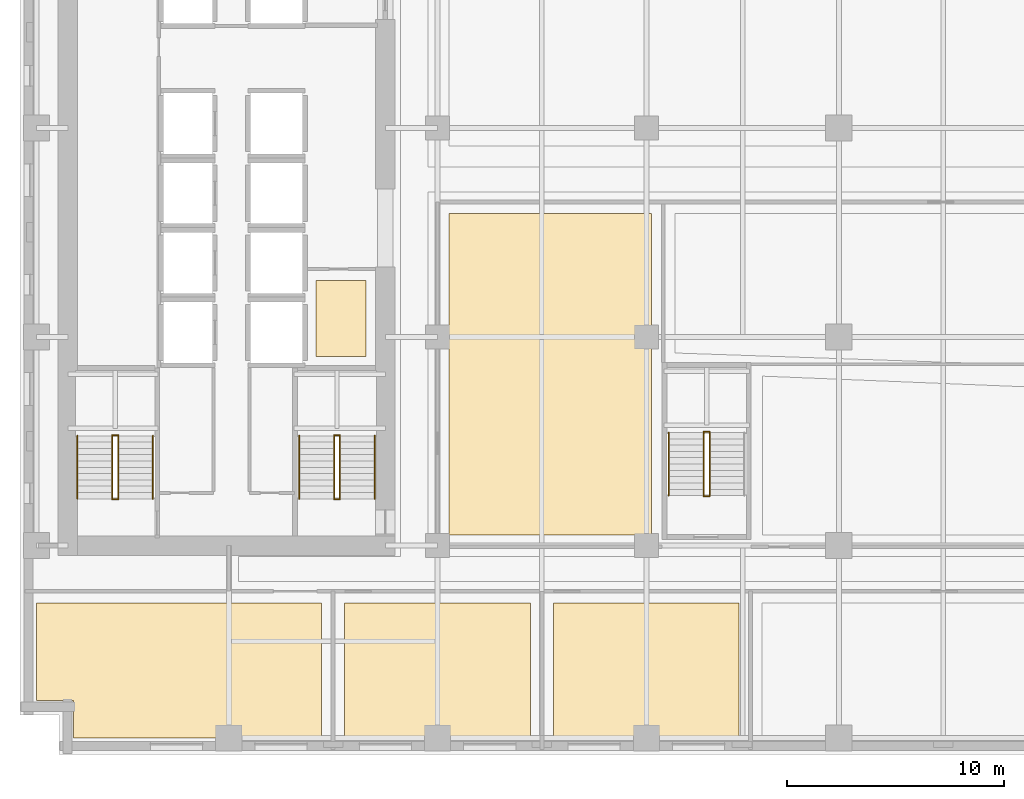
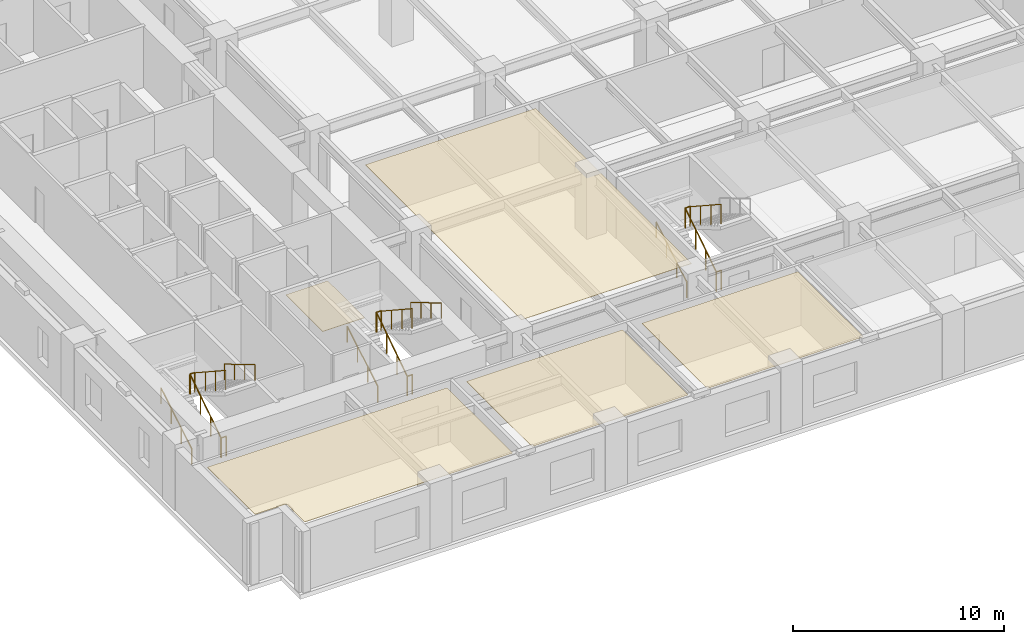
# One storey, part 10 of 14: 17 railings, 5 coverings.
"""IFC4 building model written with IfcOpenShell, lengths in metres."""

import ifcopenshell
import ifcopenshell.guid

model = None  # the IFC model being written
_history = None  # IfcOwnerHistory: only IFC2X3 demands one
_inside = {}  # id of a spatial element -> (the spatial element, [elements in it])
_under = {}  # id of a project, library or spatial element -> (it, [spatial elements below it])
_declared = {}  # id of a project -> (the project, [libraries it declares])
_typed = {}  # id of a type object -> (the type object, [elements of that type])
_made_of = {}  # id of a material, layer set ... -> (it, [elements and type objects made of it])


def new_model(schema):
    """Start an empty IFC model of exactly this schema.

    Asked for "IFC4X3", IfcOpenShell would pick the latest addendum, in which some entities
    have other attributes; the version numbers below select the first issue.
    IFC2X3 requires an IfcOwnerHistory on every rooted entity: one is made here for all.
    """
    global model, _history
    if schema == "IFC4X3":
        model = ifcopenshell.file(schema_version=(4, 3, 0, 0))
    else:
        model = ifcopenshell.file(schema=schema)
    _inside.clear()
    _under.clear()
    _declared.clear()
    _typed.clear()
    _made_of.clear()
    _history = None
    if model.schema == "IFC2X3":
        org = make("IfcOrganization", Name="unknown")
        user = make(
            "IfcPersonAndOrganization",
            ThePerson=make("IfcPerson", FamilyName="unknown"),
            TheOrganization=org,
        )
        app = make(
            "IfcApplication",
            ApplicationDeveloper=org,
            Version="unknown",
            ApplicationFullName="unknown",
            ApplicationIdentifier="unknown",
        )
        _history = make(
            "IfcOwnerHistory",
            OwningUser=user,
            OwningApplication=app,
            ChangeAction="ADDED",
            CreationDate=0,
        )
    return model


def make(cls, **values):
    """One entity of the class cls with the attributes given. An attribute that is None is left unset."""
    return model.create_entity(
        cls, **{name: value for name, value in values.items() if value is not None}
    )


def rooted(cls, **values):
    """An entity with a GlobalId (a new one), such as an element, a storey or a relation."""
    return make(cls, GlobalId=ifcopenshell.guid.new(), OwnerHistory=_history, **values)


def si_unit(unit_type, name, prefix=None):
    """IfcSIUnit, for example si_unit("LENGTHUNIT", "METRE", prefix="MILLI")."""
    return make("IfcSIUnit", UnitType=unit_type, Prefix=prefix, Name=name)


def assignment(units):
    """IfcUnitAssignment: the units of a project."""
    return None if units is None else make("IfcUnitAssignment", Units=units)


def point(xyz):
    """IfcCartesianPoint."""
    return None if xyz is None else make("IfcCartesianPoint", Coordinates=xyz)


def direction(xyz):
    """IfcDirection."""
    return None if xyz is None else make("IfcDirection", DirectionRatios=xyz)


def frame(location, z_axis=None, x_axis=None):
    """IfcAxis2Placement3D, a coordinate frame: its origin and axes. An axis left out is left unset."""
    return make(
        "IfcAxis2Placement3D",
        Location=point(location),
        Axis=direction(z_axis),
        RefDirection=direction(x_axis),
    )


def frame_2d(location, x_axis=None):
    """IfcAxis2Placement2D, a coordinate frame in the plane: its origin and x axis."""
    return make(
        "IfcAxis2Placement2D", Location=point(location), RefDirection=direction(x_axis)
    )


def origin():
    """The frame at (0, 0, 0) with its axes left unset."""
    return frame((0.0, 0.0, 0.0))


def origin_2d():
    """The frame at (0, 0) in the plane with its x axis left unset."""
    return frame_2d((0.0, 0.0))


def place(relative_to, where):
    """IfcLocalPlacement: puts the frame where relative to a parent placement (None: the world)."""
    return make(
        "IfcLocalPlacement", PlacementRelTo=relative_to, RelativePlacement=where
    )


def context(
    kind, dimensions, precision=None, world=None, true_north=None, identifier=None
):
    """IfcGeometricRepresentationContext, for example the 3D "Model" context."""
    return make(
        "IfcGeometricRepresentationContext",
        ContextIdentifier=identifier,
        ContextType=kind,
        CoordinateSpaceDimension=dimensions,
        Precision=precision,
        WorldCoordinateSystem=world,
        TrueNorth=true_north,
    )


def subcontext(parent, identifier, kind, view, scale=None):
    """IfcGeometricRepresentationSubContext, for example "Body" below "Model"."""
    return make(
        "IfcGeometricRepresentationSubContext",
        ContextIdentifier=identifier,
        ContextType=kind,
        ParentContext=parent,
        TargetScale=scale,
        TargetView=view,
    )


def project(units=None, contexts=None):
    """IfcProject with its units and contexts."""
    return rooted(
        "IfcProject",
        Name="project",
        RepresentationContexts=contexts,
        UnitsInContext=assignment(units),
    )


def spatial(cls, under=None, at=None, **own):
    """A site, building, storey or space (cls), placed at a placement, below another one or the project."""
    s = rooted(cls, ObjectPlacement=at, **own)
    if under is not None:
        _under.setdefault(under.id(), (under, []))[1].append(s)
    return s


def polyline(points):
    """IfcPolyline through the points."""
    return make("IfcPolyline", Points=[point(p) for p in points])


def profile(cls, at=None, kind="AREA", **sizes):
    """A parametric profile (cls). Its sizes go by their IFC names, for example OverallWidth=200.0."""
    return make(cls, ProfileType=kind, Position=at, **sizes)


def circle(**sizes):
    """IfcCircleProfileDef."""
    return profile("IfcCircleProfileDef", **sizes)


def outline(outer, holes=None, kind="AREA"):
    """IfcArbitraryClosedProfileDef: a profile drawn as a closed curve; with holes, ...WithVoids."""
    if holes is None:
        return make("IfcArbitraryClosedProfileDef", ProfileType=kind, OuterCurve=outer)
    return make(
        "IfcArbitraryProfileDefWithVoids",
        ProfileType=kind,
        OuterCurve=outer,
        InnerCurves=holes,
    )


def extrude(swept, where, along, depth):
    """IfcExtrudedAreaSolid: the profile swept, set in the frame where, extruded along a direction by depth."""
    return make(
        "IfcExtrudedAreaSolid",
        SweptArea=swept,
        Position=where,
        ExtrudedDirection=direction(along),
        Depth=depth,
    )


def shape(context_of_items, identifier, shape_type, items):
    """IfcShapeRepresentation: the items that make up one representation, for example the "Body"."""
    return make(
        "IfcShapeRepresentation",
        ContextOfItems=context_of_items,
        RepresentationIdentifier=identifier,
        RepresentationType=shape_type,
        Items=items,
    )


def material(Name=None, Category=None):
    """IfcMaterial."""
    return make("IfcMaterial", Name=Name, Category=Category)


def layer(
    of_material, thickness, ventilated=None, Name=None, Category=None, Priority=None
):
    """IfcMaterialLayer: one layer of a wall or slab, of a material (None: an air gap)."""
    return make(
        "IfcMaterialLayer",
        Material=of_material,
        LayerThickness=thickness,
        IsVentilated=ventilated,
        Name=Name,
        Category=Category,
        Priority=Priority,
    )


def layer_set(layers, Name=None):
    """IfcMaterialLayerSet."""
    return make("IfcMaterialLayerSet", MaterialLayers=layers, LayerSetName=Name)


def made_of(thing, what):
    """Note that an element or type object is made of a material, layer set ...; save() writes the relation."""
    if what is not None:
        _made_of.setdefault(what.id(), (what, []))[1].append(thing)
    return thing


def type_object(cls, material=None, **own):
    """A type object (cls), such as IfcWallType, which elements share."""
    return made_of(rooted(cls, **own), material)


def element(
    cls,
    number,
    at=None,
    inside=None,
    cuts=None,
    type_object=None,
    material=None,
    context=None,
    identifier="Body",
    shape_type=None,
    held_by="IfcProductDefinitionShape",
    body=None,
    shapes=None,
    **own,
):
    """One element of the class cls, such as IfcWall. Its Tag is "e" and its number.

    at: its placement. inside: the storey or other place that contains it. cuts: it is an
    opening in that element (IfcRelVoidsElement). A single representation is given by context,
    identifier, shape_type and body (its items); several are given by shapes. held_by: the class
    of the entity that holds the representations. save() writes the other relations.
    """
    e = rooted(cls, Tag="e%d" % number, ObjectPlacement=at, **own)
    if body is not None:
        shapes = [shape(context, identifier, shape_type, body)]
    if shapes is not None:
        e.Representation = make(held_by, Representations=shapes)
    if inside is not None:
        _inside.setdefault(inside.id(), (inside, []))[1].append(e)
    if cuts is not None:
        rooted(
            "IfcRelVoidsElement", RelatingBuildingElement=cuts, RelatedOpeningElement=e
        )
    if type_object is not None:
        _typed.setdefault(type_object.id(), (type_object, []))[1].append(e)
    return made_of(e, material)


def aggregate(whole, parts):
    """IfcRelAggregates: a whole, such as a stair, and the parts it consists of."""
    return rooted("IfcRelAggregates", RelatingObject=whole, RelatedObjects=parts)


def save(model, path):
    """Write the relations noted so far, then the file.

    IfcRelAggregates (storeys below a building ...), IfcRelContainedInSpatialStructure (elements
    in a storey), IfcRelDefinesByType, IfcRelAssociatesMaterial and IfcRelDeclares: one each for
    every whole, place, type object, material and project.
    """
    for whole, parts in _under.values():
        aggregate(whole, parts)
    for where, things in _inside.values():
        rooted(
            "IfcRelContainedInSpatialStructure",
            RelatedElements=things,
            RelatingStructure=where,
        )
    for kind, things in _typed.values():
        rooted("IfcRelDefinesByType", RelatedObjects=things, RelatingType=kind)
    for what, things in _made_of.values():
        rooted("IfcRelAssociatesMaterial", RelatedObjects=things, RelatingMaterial=what)
    for by, libraries in _declared.values():
        rooted("IfcRelDeclares", RelatingContext=by, RelatedDefinitions=libraries)
    model.write(path)


model = new_model("IFC4")

# Units and contexts
model_context = context("Model", 3, precision=1e-05, world=origin(), true_north=direction((0.0, 1.0)))
body_context = subcontext(model_context, "Body", "Model", "MODEL_VIEW")
ifc_project = project(units=[si_unit("LENGTHUNIT", "METRE"), si_unit("AREAUNIT", "SQUARE_METRE"), si_unit("VOLUMEUNIT", "CUBIC_METRE"), si_unit("PLANEANGLEUNIT", "RADIAN"), si_unit("MASSUNIT", "GRAM", prefix="KILO")], contexts=[model_context])

# Site, building, storey
site_placement = place(None, origin())
site = spatial("IfcSite", under=ifc_project, at=site_placement, CompositionType="ELEMENT")
building_placement = place(site_placement, origin())
building = spatial("IfcBuilding", under=site, at=building_placement, Name="Norrvale University Quadrangle", CompositionType="ELEMENT")
storey_placement = place(building_placement, frame((0.0, 0.0, 24.199951171875)))
storey = spatial("IfcBuildingStorey", under=building, at=storey_placement, Name="L05", CompositionType="ELEMENT", Elevation=24.199951171875)

# Coverings
ifc_material_1 = material(Name="Perforated Acoustic Mineral Ceiling")
ifc_layer_1 = layer(ifc_material_1, 0.02490234375, Name="Perforated Acoustic Mineral Ceiling")
ifc_layer_set_1 = layer_set([ifc_layer_1], Name="Perforated Acoustic Mineral Ceiling")
covering_type_1 = type_object("IfcCoveringType", Name="Covering Acoustic Ceiling 25", PredefinedType="CEILING", material=ifc_layer_set_1)
covering_1_placement = place(storey_placement, frame((0.0, 0.0, 3.51513671875)))
element("IfcCovering", 1, at=covering_1_placement, inside=storey, type_object=covering_type_1, Name="Acoustic Ceiling RM-L05-S01", PredefinedType="CEILING", context=body_context, shape_type="SweptSolid", body=[
    extrude(outline(polyline([(0.75, 6.969970703125), (13.8701171875, 6.969970703125), (13.8701171875, 0.75), (2.469970703125, 0.75), (2.469970703125, 2.469970703125), (0.75, 2.469970703125), (0.75, 6.969970703125)])), origin(), (0.0, 0.0, 1.0), 0.02490234375),
])
covering_2_placement = place(storey_placement, frame((0.0, 0.0, 3.51513671875)))
element("IfcCovering", 2, at=covering_2_placement, inside=storey, type_object=covering_type_1, Name="Acoustic Ceiling RM-L05-S02", PredefinedType="CEILING", context=body_context, shape_type="SweptSolid", body=[
    extrude(outline(polyline([(14.929931640625, 6.969970703125), (23.469970703125, 6.969970703125), (23.469970703125, 0.75), (14.929931640625, 0.75), (14.929931640625, 6.969970703125)])), origin(), (0.0, 0.0, 1.0), 0.02490234375),
])
covering_3_placement = place(storey_placement, frame((0.0, 0.0, 3.51513671875)))
element("IfcCovering", 3, at=covering_3_placement, inside=storey, type_object=covering_type_1, Name="Acoustic Ceiling RM-L05-S03", PredefinedType="CEILING", context=body_context, shape_type="SweptSolid", body=[
    extrude(outline(polyline([(24.530029296875, 6.969970703125), (33.070068359375, 6.969970703125), (33.070068359375, 0.75), (24.530029296875, 0.75), (24.530029296875, 6.969970703125)])), origin(), (0.0, 0.0, 1.0), 0.02490234375),
])
covering_4_placement = place(storey_placement, frame((0.0, 0.0, 3.51513671875)))
element("IfcCovering", 4, at=covering_4_placement, inside=storey, type_object=covering_type_1, Name="Acoustic Ceiling RM-L05-IW1", PredefinedType="CEILING", context=body_context, shape_type="SweptSolid", body=[
    extrude(outline(polyline([(19.72998046875, 10.080078125), (19.72998046875, 24.8701171875), (29.050048828125, 24.8701171875), (29.050048828125, 10.080078125), (19.72998046875, 10.080078125)])), origin(), (0.0, 0.0, 1.0), 0.02490234375),
])
ifc_material_2 = material(Name="Polished Terrazzo Flooring")
ifc_layer_2 = layer(ifc_material_2, 0.02490234375, Name="Polished Terrazzo Flooring")
ifc_layer_set_2 = layer_set([ifc_layer_2], Name="Polished Terrazzo Flooring")
covering_type_2 = type_object("IfcCoveringType", Name="Covering Terrazzo Floor 30", PredefinedType="FLOORING", material=ifc_layer_set_2)
covering_5_placement = place(storey_placement, origin())
element("IfcCovering", 5, at=covering_5_placement, inside=storey, type_object=covering_type_2, Name="Terrazzo Flooring RM-L05-JAN", PredefinedType="FLOORING", context=body_context, shape_type="SweptSolid", body=[
    extrude(outline(polyline([(13.60009765625, 18.300048828125), (13.60009765625, 21.800048828125), (15.89990234375, 21.800048828125), (15.89990234375, 18.300048828125), (13.60009765625, 18.300048828125)])), origin(), (0.0, 0.0, 1.0), 0.025146484375),
])

# Railings
ifc_material_3 = material(Name="Steel 350W Painted Balustrade", Category="steel")
railing_type_1 = type_object("IfcRailingType", Name="Railing Stair Guard 1100", PredefinedType="GUARDRAIL", material=ifc_material_3)
for number, where, name in (
    (6, (4.239990234375, 11.719970703125, 0.0), "Stair Floor Well Guard ST-01 L05"),
    (7, (4.239990234375, 14.679931640625, 1.900146484375), "Stair Mid-Landing Slot Guard ST-01 L05"),
):
    element("IfcRailing", number, at=place(storey_placement, frame(where)), inside=storey, type_object=railing_type_1, Name=name, PredefinedType="GUARDRAIL", context=body_context, shape_type="SweptSolid", body=[
        extrude(circle(Radius=0.02392578125, at=origin_2d()), frame((0.0, 0.0, 1.1259765625), z_axis=(1.0, 0.0, 0.0), x_axis=(0.0, 1.0, 0.0)), (0.0, 0.0, 1.0), 0.27001953125),
        extrude(circle(Radius=0.02099609375, at=origin_2d()), origin(), (0.0, 0.0, 1.0), 1.101806640625),
        extrude(circle(Radius=0.02099609375, at=origin_2d()), frame((0.27001953125, 0.0, 0.0)), (0.0, 0.0, 1.0), 1.101806640625),
    ])
railing_1_placement = place(storey_placement, frame((4.239990234375, 11.75, 0.0)))
element("IfcRailing", 8, at=railing_1_placement, inside=storey, type_object=railing_type_1, Name="Stair Lower Flight Inner Guard ST-01 L05", PredefinedType="GUARDRAIL", context=body_context, shape_type="SweptSolid", body=[
    extrude(circle(Radius=0.02392578125, at=origin_2d()), frame((0.0, 0.0, 1.1259765625), z_axis=(0.0, 0.836433300813, 0.548068730445), x_axis=(-1.0, 0.0, 0.0)), (0.0, 0.0, 1.0), 3.467041015625),
    extrude(circle(Radius=0.02099609375, at=origin_2d()), origin(), (0.0, 0.0, 1.0), 1.101806640625),
    extrude(circle(Radius=0.02099609375, at=origin_2d()), frame((0.0, 0.966552734375, 0.63330078125)), (0.0, 0.0, 1.0), 1.101806640625),
    extrude(circle(Radius=0.02099609375, at=origin_2d()), frame((0.0, 1.933349609375, 1.266845703125)), (0.0, 0.0, 1.0), 1.101806640625),
    extrude(circle(Radius=0.02099609375, at=origin_2d()), frame((0.0, 2.89990234375, 1.900146484375)), (0.0, 0.0, 1.0), 1.101806640625),
])
railing_2_placement = place(storey_placement, frame((4.510009765625, 14.64990234375, 1.900146484375)))
element("IfcRailing", 9, at=railing_2_placement, inside=storey, type_object=railing_type_1, Name="Stair Upper Flight Inner Guard ST-01 L05", PredefinedType="GUARDRAIL", context=body_context, shape_type="SweptSolid", body=[
    extrude(circle(Radius=0.02392578125, at=origin_2d()), frame((0.0, 0.0, 1.1259765625), z_axis=(0.0, -0.836465582154, 0.548019461216), x_axis=(1.0, 0.0, 0.0)), (0.0, 0.0, 1.0), 3.466796875),
    extrude(circle(Radius=0.02099609375, at=origin_2d()), origin(), (0.0, 0.0, 1.0), 1.101806640625),
    extrude(circle(Radius=0.02099609375, at=origin_2d()), frame((0.0, -0.966552734375, 0.63330078125)), (0.0, 0.0, 1.0), 1.101806640625),
    extrude(circle(Radius=0.02099609375, at=origin_2d()), frame((0.0, -1.933349609375, 1.2666015625)), (0.0, 0.0, 1.0), 1.101806640625),
    extrude(circle(Radius=0.02099609375, at=origin_2d()), frame((0.0, -2.89990234375, 1.89990234375)), (0.0, 0.0, 1.0), 1.101806640625),
])
for number, where, name in (
    (10, (14.43994140625, 11.719970703125, 0.0), "Stair Floor Well Guard ST-03 L05"),
    (11, (14.43994140625, 14.679931640625, 1.900146484375), "Stair Mid-Landing Slot Guard ST-03 L05"),
):
    element("IfcRailing", number, at=place(storey_placement, frame(where)), inside=storey, type_object=railing_type_1, Name=name, PredefinedType="GUARDRAIL", context=body_context, shape_type="SweptSolid", body=[
        extrude(circle(Radius=0.02392578125, at=origin_2d()), frame((0.0, 0.0, 1.1259765625), z_axis=(1.0, 0.0, 0.0), x_axis=(0.0, 1.0, 0.0)), (0.0, 0.0, 1.0), 0.27001953125),
        extrude(circle(Radius=0.02099609375, at=origin_2d()), origin(), (0.0, 0.0, 1.0), 1.101806640625),
        extrude(circle(Radius=0.02099609375, at=origin_2d()), frame((0.27001953125, 0.0, 0.0)), (0.0, 0.0, 1.0), 1.101806640625),
    ])
railing_3_placement = place(storey_placement, frame((14.43994140625, 11.75, 0.0)))
element("IfcRailing", 12, at=railing_3_placement, inside=storey, type_object=railing_type_1, Name="Stair Lower Flight Inner Guard ST-03 L05", PredefinedType="GUARDRAIL", context=body_context, shape_type="SweptSolid", body=[
    extrude(circle(Radius=0.02392578125, at=origin_2d()), frame((0.0, 0.0, 1.1259765625), z_axis=(0.0, 0.836433300813, 0.548068730445), x_axis=(-1.0, 0.0, 0.0)), (0.0, 0.0, 1.0), 3.467041015625),
    extrude(circle(Radius=0.02099609375, at=origin_2d()), origin(), (0.0, 0.0, 1.0), 1.101806640625),
    extrude(circle(Radius=0.02099609375, at=origin_2d()), frame((0.0, 0.966552734375, 0.63330078125)), (0.0, 0.0, 1.0), 1.101806640625),
    extrude(circle(Radius=0.02099609375, at=origin_2d()), frame((0.0, 1.933349609375, 1.266845703125)), (0.0, 0.0, 1.0), 1.101806640625),
    extrude(circle(Radius=0.02099609375, at=origin_2d()), frame((0.0, 2.89990234375, 1.900146484375)), (0.0, 0.0, 1.0), 1.101806640625),
])
railing_4_placement = place(storey_placement, frame((14.7099609375, 14.64990234375, 1.900146484375)))
element("IfcRailing", 13, at=railing_4_placement, inside=storey, type_object=railing_type_1, Name="Stair Upper Flight Inner Guard ST-03 L05", PredefinedType="GUARDRAIL", context=body_context, shape_type="SweptSolid", body=[
    extrude(circle(Radius=0.02392578125, at=origin_2d()), frame((0.0, 0.0, 1.1259765625), z_axis=(0.0, -0.836465582154, 0.548019461216), x_axis=(1.0, 0.0, 0.0)), (0.0, 0.0, 1.0), 3.466796875),
    extrude(circle(Radius=0.02099609375, at=origin_2d()), origin(), (0.0, 0.0, 1.0), 1.101806640625),
    extrude(circle(Radius=0.02099609375, at=origin_2d()), frame((0.0, -0.966552734375, 0.63330078125)), (0.0, 0.0, 1.0), 1.101806640625),
    extrude(circle(Radius=0.02099609375, at=origin_2d()), frame((0.0, -1.933349609375, 1.2666015625)), (0.0, 0.0, 1.0), 1.101806640625),
    extrude(circle(Radius=0.02099609375, at=origin_2d()), frame((0.0, -2.89990234375, 1.89990234375)), (0.0, 0.0, 1.0), 1.101806640625),
])
for number, where, name in (
    (14, (31.43994140625, 11.8701171875, 0.0), "Stair Floor Well Guard ST-04 L05"),
    (15, (31.43994140625, 14.830078125, 1.900146484375), "Stair Mid-Landing Slot Guard ST-04 L05"),
):
    element("IfcRailing", number, at=place(storey_placement, frame(where)), inside=storey, type_object=railing_type_1, Name=name, PredefinedType="GUARDRAIL", context=body_context, shape_type="SweptSolid", body=[
        extrude(circle(Radius=0.02392578125, at=origin_2d()), frame((0.0, 0.0, 1.1259765625), z_axis=(1.0, 0.0, 0.0), x_axis=(0.0, 1.0, 0.0)), (0.0, 0.0, 1.0), 0.27001953125),
        extrude(circle(Radius=0.02099609375, at=origin_2d()), origin(), (0.0, 0.0, 1.0), 1.101806640625),
        extrude(circle(Radius=0.02099609375, at=origin_2d()), frame((0.27001953125, 0.0, 0.0)), (0.0, 0.0, 1.0), 1.101806640625),
    ])
railing_5_placement = place(storey_placement, frame((31.43994140625, 11.89990234375, 0.0)))
element("IfcRailing", 16, at=railing_5_placement, inside=storey, type_object=railing_type_1, Name="Stair Lower Flight Inner Guard ST-04 L05", PredefinedType="GUARDRAIL", context=body_context, shape_type="SweptSolid", body=[
    extrude(circle(Radius=0.02392578125, at=origin_2d()), frame((0.0, 0.0, 1.1259765625), z_axis=(0.0, 0.836454451266, 0.548036450392), x_axis=(-1.0, 0.0, 0.0)), (0.0, 0.0, 1.0), 3.46728515625),
    extrude(circle(Radius=0.02099609375, at=origin_2d()), origin(), (0.0, 0.0, 1.0), 1.101806640625),
    extrude(circle(Radius=0.02099609375, at=origin_2d()), frame((0.0, 0.966796875, 0.63330078125)), (0.0, 0.0, 1.0), 1.101806640625),
    extrude(circle(Radius=0.02099609375, at=origin_2d()), frame((0.0, 1.933349609375, 1.266845703125)), (0.0, 0.0, 1.0), 1.101806640625),
    extrude(circle(Radius=0.02099609375, at=origin_2d()), frame((0.0, 2.900146484375, 1.900146484375)), (0.0, 0.0, 1.0), 1.101806640625),
])
railing_6_placement = place(storey_placement, frame((31.7099609375, 14.800048828125, 1.900146484375)))
element("IfcRailing", 17, at=railing_6_placement, inside=storey, type_object=railing_type_1, Name="Stair Upper Flight Inner Guard ST-04 L05", PredefinedType="GUARDRAIL", context=body_context, shape_type="SweptSolid", body=[
    extrude(circle(Radius=0.02392578125, at=origin_2d()), frame((0.0, 0.0, 1.1259765625), z_axis=(0.0, -0.836486729621, 0.547987181573), x_axis=(1.0, 0.0, 0.0)), (0.0, 0.0, 1.0), 3.467041015625),
    extrude(circle(Radius=0.02099609375, at=origin_2d()), origin(), (0.0, 0.0, 1.0), 1.101806640625),
    extrude(circle(Radius=0.02099609375, at=origin_2d()), frame((0.0, -0.966796875, 0.63330078125)), (0.0, 0.0, 1.0), 1.101806640625),
    extrude(circle(Radius=0.02099609375, at=origin_2d()), frame((0.0, -1.933349609375, 1.2666015625)), (0.0, 0.0, 1.0), 1.101806640625),
    extrude(circle(Radius=0.02099609375, at=origin_2d()), frame((0.0, -2.900146484375, 1.89990234375)), (0.0, 0.0, 1.0), 1.101806640625),
])
ifc_material_4 = material(Name="Stainless Steel 316L Handrail", Category="steel")
railing_type_2 = type_object("IfcRailingType", Name="Railing Stair Handrail 920", PredefinedType="HANDRAIL", material=ifc_material_4)
railing_7_placement = place(storey_placement, frame((2.639892578125, 11.75, 0.1728515625)))
element("IfcRailing", 18, at=railing_7_placement, inside=storey, type_object=railing_type_2, Name="Stair Lower Flight Handrail ST-01 L05", PredefinedType="HANDRAIL", context=body_context, shape_type="SweptSolid", body=[
    extrude(circle(Radius=0.02392578125, at=origin_2d()), frame((0.0, 0.0, 0.89599609375), z_axis=(0.0, 0.859141464434, 0.511738159696), x_axis=(-1.0, 0.0, 0.0)), (0.0, 0.0, 1.0), 3.375244140625),
    extrude(circle(Radius=0.02099609375, at=origin_2d()), origin(), (0.0, 0.0, 1.0), 0.871826171875),
    extrude(circle(Radius=0.02099609375, at=origin_2d()), frame((0.0, 0.966552734375, 0.57568359375)), (0.0, 0.0, 1.0), 0.871826171875),
    extrude(circle(Radius=0.02099609375, at=origin_2d()), frame((0.0, 1.933349609375, 1.151611328125)), (0.0, 0.0, 1.0), 0.871826171875),
    extrude(circle(Radius=0.02099609375, at=origin_2d()), frame((0.0, 2.89990234375, 1.727294921875)), (0.0, 0.0, 1.0), 0.871826171875),
])
railing_8_placement = place(storey_placement, frame((6.110107421875, 14.64990234375, 2.07275390625)))
element("IfcRailing", 19, at=railing_8_placement, inside=storey, type_object=railing_type_2, Name="Stair Upper Flight Handrail ST-01 L05", PredefinedType="HANDRAIL", context=body_context, shape_type="SweptSolid", body=[
    extrude(circle(Radius=0.02392578125, at=origin_2d()), frame((0.0, 0.0, 0.89599609375), z_axis=(0.0, -0.859141464434, 0.511738159696), x_axis=(1.0, 0.0, 0.0)), (0.0, 0.0, 1.0), 3.375244140625),
    extrude(circle(Radius=0.02099609375, at=origin_2d()), origin(), (0.0, 0.0, 1.0), 0.871826171875),
    extrude(circle(Radius=0.02099609375, at=origin_2d()), frame((0.0, -0.966552734375, 0.57568359375)), (0.0, 0.0, 1.0), 0.871826171875),
    extrude(circle(Radius=0.02099609375, at=origin_2d()), frame((0.0, -1.933349609375, 1.151611328125)), (0.0, 0.0, 1.0), 0.871826171875),
    extrude(circle(Radius=0.02099609375, at=origin_2d()), frame((0.0, -2.89990234375, 1.727294921875)), (0.0, 0.0, 1.0), 0.871826171875),
])
railing_9_placement = place(storey_placement, frame((12.840087890625, 11.75, 0.1728515625)))
element("IfcRailing", 20, at=railing_9_placement, inside=storey, type_object=railing_type_2, Name="Stair Lower Flight Handrail ST-03 L05", PredefinedType="HANDRAIL", context=body_context, shape_type="SweptSolid", body=[
    extrude(circle(Radius=0.02392578125, at=origin_2d()), frame((0.0, 0.0, 0.89599609375), z_axis=(0.0, 0.859141464434, 0.511738159696), x_axis=(-1.0, 0.0, 0.0)), (0.0, 0.0, 1.0), 3.375244140625),
    extrude(circle(Radius=0.02099609375, at=origin_2d()), origin(), (0.0, 0.0, 1.0), 0.871826171875),
    extrude(circle(Radius=0.02099609375, at=origin_2d()), frame((0.0, 0.966552734375, 0.57568359375)), (0.0, 0.0, 1.0), 0.871826171875),
    extrude(circle(Radius=0.02099609375, at=origin_2d()), frame((0.0, 1.933349609375, 1.151611328125)), (0.0, 0.0, 1.0), 0.871826171875),
    extrude(circle(Radius=0.02099609375, at=origin_2d()), frame((0.0, 2.89990234375, 1.727294921875)), (0.0, 0.0, 1.0), 0.871826171875),
])
railing_10_placement = place(storey_placement, frame((16.31005859375, 14.64990234375, 2.07275390625)))
element("IfcRailing", 21, at=railing_10_placement, inside=storey, type_object=railing_type_2, Name="Stair Upper Flight Handrail ST-03 L05", PredefinedType="HANDRAIL", context=body_context, shape_type="SweptSolid", body=[
    extrude(circle(Radius=0.02392578125, at=origin_2d()), frame((0.0, 0.0, 0.89599609375), z_axis=(0.0, -0.859141464434, 0.511738159696), x_axis=(1.0, 0.0, 0.0)), (0.0, 0.0, 1.0), 3.375244140625),
    extrude(circle(Radius=0.02099609375, at=origin_2d()), origin(), (0.0, 0.0, 1.0), 0.871826171875),
    extrude(circle(Radius=0.02099609375, at=origin_2d()), frame((0.0, -0.966552734375, 0.57568359375)), (0.0, 0.0, 1.0), 0.871826171875),
    extrude(circle(Radius=0.02099609375, at=origin_2d()), frame((0.0, -1.933349609375, 1.151611328125)), (0.0, 0.0, 1.0), 0.871826171875),
    extrude(circle(Radius=0.02099609375, at=origin_2d()), frame((0.0, -2.89990234375, 1.727294921875)), (0.0, 0.0, 1.0), 0.871826171875),
])
railing_11_placement = place(storey_placement, frame((29.840087890625, 11.89990234375, 0.1728515625)))
element("IfcRailing", 22, at=railing_11_placement, inside=storey, type_object=railing_type_2, Name="Stair Lower Flight Handrail ST-04 L05", PredefinedType="HANDRAIL", context=body_context, shape_type="SweptSolid", body=[
    extrude(circle(Radius=0.02392578125, at=origin_2d()), frame((0.0, 0.0, 0.89599609375), z_axis=(0.0, 0.859160404282, 0.51170636083), x_axis=(-1.0, 0.0, 0.0)), (0.0, 0.0, 1.0), 3.37548828125),
    extrude(circle(Radius=0.02099609375, at=origin_2d()), origin(), (0.0, 0.0, 1.0), 0.871826171875),
    extrude(circle(Radius=0.02099609375, at=origin_2d()), frame((0.0, 0.966796875, 0.57568359375)), (0.0, 0.0, 1.0), 0.871826171875),
    extrude(circle(Radius=0.02099609375, at=origin_2d()), frame((0.0, 1.933349609375, 1.151611328125)), (0.0, 0.0, 1.0), 0.871826171875),
    extrude(circle(Radius=0.02099609375, at=origin_2d()), frame((0.0, 2.900146484375, 1.727294921875)), (0.0, 0.0, 1.0), 0.871826171875),
])

save(model, "model.ifc")
